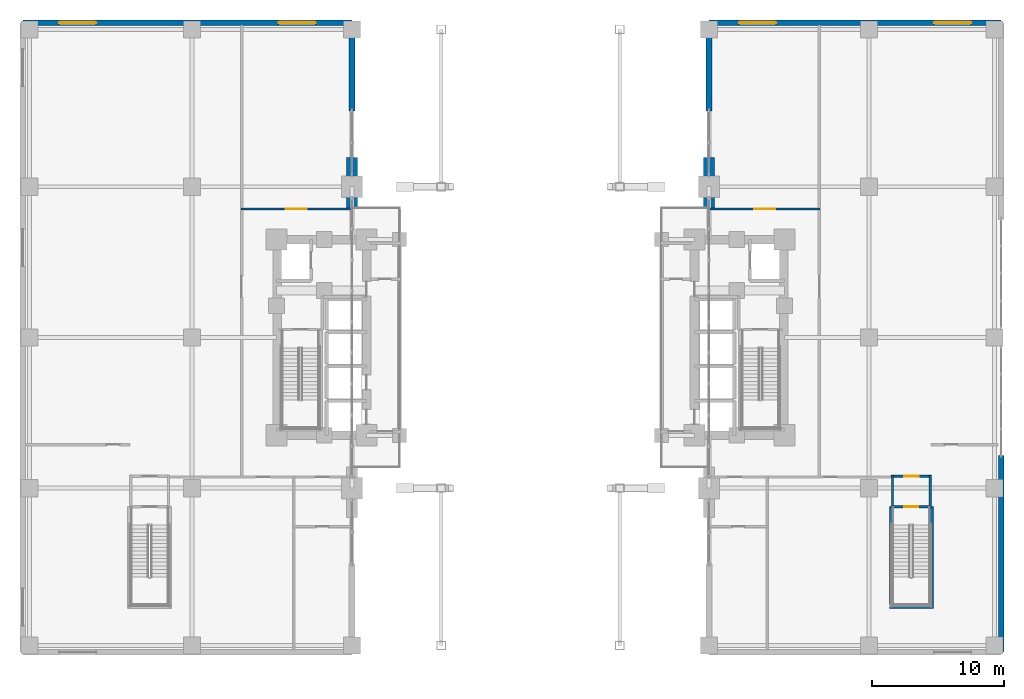
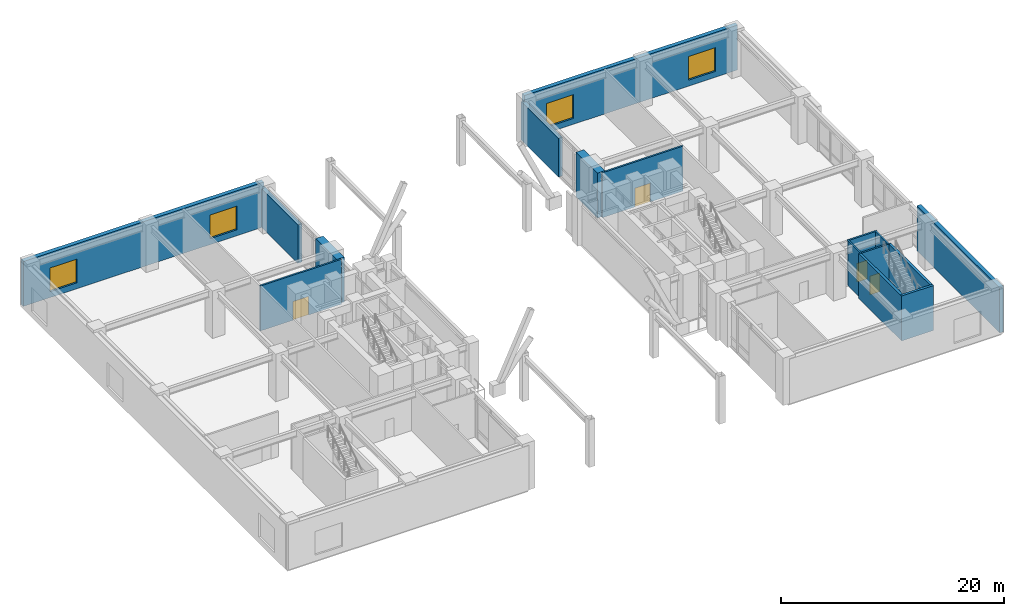
# One storey, part 21 of 26: 16 walls, 4 doors, 4 windows, 8 openings.
"""IFC4 building model written with IfcOpenShell, lengths in metres."""

from ifc_helpers import new_model, si_unit, direction, frame, frame_2d, origin, place, context, subcontext, project, spatial, rectangle, extrude, material, layer, layer_set, type_object, element, fill, save


model = new_model("IFC4")

# Units and contexts
model_context = context("Model", 3, precision=1e-05, world=origin(), true_north=direction((0.0, 1.0)))
body_context = subcontext(model_context, "Body", "Model", "MODEL_VIEW")
ifc_project = project(units=[si_unit("LENGTHUNIT", "METRE"), si_unit("AREAUNIT", "SQUARE_METRE"), si_unit("VOLUMEUNIT", "CUBIC_METRE"), si_unit("PLANEANGLEUNIT", "RADIAN"), si_unit("MASSUNIT", "GRAM", prefix="KILO")], contexts=[model_context])

# Site, building, storey
site_placement = place(None, origin())
site = spatial("IfcSite", under=ifc_project, at=site_placement, CompositionType="ELEMENT")
building_placement = place(site_placement, origin())
building = spatial("IfcBuilding", under=site, at=building_placement, Name="Voryun Gate Residences", CompositionType="ELEMENT")
storey_placement = place(building_placement, frame((0.0, 0.0, 10.39990234375)))
storey = spatial("IfcBuildingStorey", under=building, at=storey_placement, Name="L02", CompositionType="ELEMENT", Elevation=10.39990234375)

# Walls
ifc_material_1 = material(Name="Concrete C60/75", Category="concrete")
ifc_layer_1 = layer(ifc_material_1, 0.800048828125, Name="W_ARCH_PIER_800")
ifc_layer_set_1 = layer_set([ifc_layer_1], Name="Concrete C60/75")
wall_type_1 = type_object("IfcWallType", Name="W_ARCH_PIER_800", PredefinedType="SOLIDWALL", material=ifc_layer_set_1)
for number, where, z_axis, x_axis, name in (
    (1, (-13.5, 9.800048828125, 0.0), (0.0, 0.0, 1.0), (0.0, 1.0, 0.0), "L02 Parabolic arch pier wall WN"),
    (2, (13.5, 9.800048828125, 0.0), (0.0, 0.0, 1.0), (0.0, 1.0, 0.0), "L02 Parabolic arch pier wall EN"),
):
    element("IfcWall", number, at=place(storey_placement, frame(where, z_axis=z_axis, x_axis=x_axis)), inside=storey, type_object=wall_type_1, Name=name, PredefinedType="SOLIDWALL", context=body_context, shape_type="SweptSolid", body=[
        extrude(rectangle(XDim=3.800048828125, YDim=0.800048828125, at=frame_2d((1.89990234375, 0.0))), origin(), (0.0, 0.0, 1.0), 4.920166015625),
    ])
ifc_material_2 = material(Name="Gypsum acoustic fireboard")
ifc_layer_2 = layer(ifc_material_2, 0.179931640625, Name="W_CORR_RATED_180")
ifc_layer_set_2 = layer_set([ifc_layer_2], Name="Gypsum acoustic fireboard")
wall_type_2 = type_object("IfcWallType", Name="W_CORR_RATED_180", PredefinedType="PARTITIONING", material=ifc_layer_set_2)
for number, where, z_axis, x_axis, name in (
    (3, (27.3798828125, -12.800048828125, 0.0), (0.0, 0.0, 1.0), (0.0, 1.0, 0.0), "Partition wall WP-L02-ST-P2-VW"),
    (4, (30.219970703125, -12.800048828125, 0.0), (0.0, 0.0, 1.0), (0.0, 1.0, 0.0), "Partition wall WP-L02-ST-P2-VE"),
):
    element("IfcWall", number, at=place(storey_placement, frame(where, z_axis=z_axis, x_axis=x_axis)), inside=storey, type_object=wall_type_2, Name=name, PredefinedType="PARTITIONING", context=body_context, shape_type="SweptSolid", body=[
        extrude(rectangle(XDim=2.35009765625, YDim=0.179931640625, at=frame_2d((1.175048828125, 0.0))), origin(), (0.0, 0.0, 1.0), 4.920166015625),
    ])

# Wall, opening, door
wall_1_placement = place(storey_placement, frame((27.280029296875, -12.800048828125, 0.0), z_axis=(0.0, 0.0, 1.0), x_axis=(1.0, 0.0, 0.0)))
wall_1 = element("IfcWall", 5, at=wall_1_placement, inside=storey, type_object=wall_type_2, Name="Partition wall WP-L02-ST-P2-MID", PredefinedType="PARTITIONING", context=body_context, shape_type="SweptSolid", body=[
    extrude(rectangle(XDim=3.0400390625, YDim=0.179931640625, at=frame_2d((1.52001953125, 0.0))), origin(), (0.0, 0.0, 1.0), 4.920166015625),
])
opening_1_placement = place(wall_1_placement, frame((0.9951171875, 0.0, 0.0)))
opening_1 = element("IfcOpeningElement", 6, at=opening_1_placement, cuts=wall_1, Name="Opening D-FD60-1", PredefinedType="OPENING", context=body_context, shape_type="SweptSolid", body=[
    extrude(rectangle(XDim=1.050048828125, YDim=2.050048828125, at=frame_2d((0.52490234375, 1.02490234375))), frame((0.0, 0.099853515625, 0.0), z_axis=(0.0, -1.0, 0.0), x_axis=(1.0, 0.0, 0.0)), (0.0, 0.0, 1.0), 0.199951171875),
])
ifc_material_3 = material(Name="Painted steel fire door", Category="steel")
door_type_1 = type_object("IfcDoorType", Name="DR_FD60_STAIR_1050", OperationType="NOTDEFINED", PredefinedType="DOOR", material=ifc_material_3)
door_1_placement = place(opening_1_placement, origin())
door_1 = element("IfcDoor", 7, at=door_1_placement, inside=storey, type_object=door_type_1, Name="Door DR-L02-ST-P2-IN", OperationType="SINGLE_SWING_LEFT", OverallHeight=2.050048828125, OverallWidth=1.050048828125, PredefinedType="DOOR", context=body_context, shape_type="SweptSolid", body=[
    extrude(rectangle(XDim=1.050048828125, YDim=2.050048828125, at=frame_2d((0.52490234375, 1.02490234375))), frame((0.0, 0.02490234375, 0.0), z_axis=(0.0, -1.0, 0.0), x_axis=(1.0, 0.0, 0.0)), (0.0, 0.0, 1.0), 0.050048828125),
])
fill(opening_1, door_1)

wall_2_placement = place(storey_placement, frame((27.280029296875, -10.5, 0.0), z_axis=(0.0, 0.0, 1.0), x_axis=(1.0, 0.0, 0.0)))
wall_2 = element("IfcWall", 8, at=wall_2_placement, inside=storey, type_object=wall_type_2, Name="Partition wall WP-L02-ST-P2-N", PredefinedType="PARTITIONING", context=body_context, shape_type="SweptSolid", body=[
    extrude(rectangle(XDim=3.0400390625, YDim=0.179931640625, at=frame_2d((1.52001953125, 0.0))), origin(), (0.0, 0.0, 1.0), 4.920166015625),
])
opening_2_placement = place(wall_2_placement, frame((0.969970703125, 0.0, 0.0)))
opening_2 = element("IfcOpeningElement", 9, at=opening_2_placement, cuts=wall_2, Name="Opening D-FD60-2", PredefinedType="OPENING", context=body_context, shape_type="SweptSolid", body=[
    extrude(rectangle(XDim=1.10009765625, YDim=2.050048828125, at=frame_2d((0.550048828125, 1.02490234375))), frame((0.0, 0.099853515625, 0.0), z_axis=(0.0, -1.0, 0.0), x_axis=(1.0, 0.0, 0.0)), (0.0, 0.0, 1.0), 0.199951171875),
])
ifc_material_4 = material(Name="Painted steel fire door", Category="steel")
door_type_2 = type_object("IfcDoorType", Name="DR_FD60_FFLOB_1100", OperationType="NOTDEFINED", PredefinedType="DOOR", material=ifc_material_4)
door_2_placement = place(opening_2_placement, origin())
door_2 = element("IfcDoor", 10, at=door_2_placement, inside=storey, type_object=door_type_2, Name="Door DR-L02-ST-P2-OUT", OperationType="SINGLE_SWING_RIGHT", OverallHeight=2.050048828125, OverallWidth=1.10009765625, PredefinedType="DOOR", context=body_context, shape_type="SweptSolid", body=[
    extrude(rectangle(XDim=1.10009765625, YDim=2.050048828125, at=frame_2d((0.550048828125, 1.02490234375))), frame((0.0, 0.02490234375, 0.0), z_axis=(0.0, -1.0, 0.0), x_axis=(1.0, 0.0, 0.0)), (0.0, 0.0, 1.0), 0.050048828125),
])
fill(opening_2, door_2)

wall_3_placement = place(storey_placement, frame((-21.89990234375, 9.719970703125, 0.0), z_axis=(0.0, 0.0, 1.0), x_axis=(1.0, 0.0, 0.0)))
wall_3 = element("IfcWall", 11, at=wall_3_placement, inside=storey, type_object=wall_type_2, Name="Partition wall WP-L02-WCN1", PredefinedType="PARTITIONING", context=body_context, shape_type="SweptSolid", body=[
    extrude(rectangle(XDim=8.3798828125, YDim=0.179931640625, at=frame_2d((4.18994140625, 0.0))), origin(), (0.0, 0.0, 1.0), 4.920166015625),
])
opening_3_placement = place(wall_3_placement, frame((3.389892578125, 0.0, 0.0)))
opening_3 = element("IfcOpeningElement", 12, at=opening_3_placement, cuts=wall_3, Name="Opening D-FD30-1", PredefinedType="OPENING", context=body_context, shape_type="SweptSolid", body=[
    extrude(rectangle(XDim=1.60009765625, YDim=2.050048828125, at=frame_2d((0.800048828125, 1.02490234375))), frame((0.0, 0.099853515625, 0.0), z_axis=(0.0, -1.0, 0.0), x_axis=(1.0, 0.0, 0.0)), (0.0, 0.0, 1.0), 0.199951171875),
])
ifc_material_5 = material(Name="Glazed aluminium fire door", Category="aluminium")
door_type_3 = type_object("IfcDoorType", Name="DR_CORR_SMOKE_1600", OperationType="NOTDEFINED", PredefinedType="DOOR", material=ifc_material_5)
door_3_placement = place(opening_3_placement, origin())
door_3 = element("IfcDoor", 13, at=door_3_placement, inside=storey, type_object=door_type_3, Name="Door DR-L02-WD3", OperationType="DOUBLE_DOOR_SINGLE_SWING", OverallHeight=2.050048828125, OverallWidth=1.60009765625, PredefinedType="DOOR", context=body_context, shape_type="SweptSolid", body=[
    extrude(rectangle(XDim=1.60009765625, YDim=2.050048828125, at=frame_2d((0.800048828125, 1.02490234375))), frame((0.0, 0.02490234375, 0.0), z_axis=(0.0, -1.0, 0.0), x_axis=(1.0, 0.0, 0.0)), (0.0, 0.0, 1.0), 0.050048828125),
])
fill(opening_3, door_3)

wall_4_placement = place(storey_placement, frame((13.52001953125, 9.719970703125, 0.0), z_axis=(0.0, 0.0, 1.0), x_axis=(1.0, 0.0, 0.0)))
wall_4 = element("IfcWall", 14, at=wall_4_placement, inside=storey, type_object=wall_type_2, Name="Partition wall WP-L02-ECN1", PredefinedType="PARTITIONING", context=body_context, shape_type="SweptSolid", body=[
    extrude(rectangle(XDim=8.3798828125, YDim=0.179931640625, at=frame_2d((4.18994140625, 0.0))), origin(), (0.0, 0.0, 1.0), 4.920166015625),
])
opening_4_placement = place(wall_4_placement, frame((3.389892578125, 0.0, 0.0)))
opening_4 = element("IfcOpeningElement", 15, at=opening_4_placement, cuts=wall_4, Name="Opening D-FD30-1", PredefinedType="OPENING", context=body_context, shape_type="SweptSolid", body=[
    extrude(rectangle(XDim=1.60009765625, YDim=2.050048828125, at=frame_2d((0.800048828125, 1.02490234375))), frame((0.0, 0.099853515625, 0.0), z_axis=(0.0, -1.0, 0.0), x_axis=(1.0, 0.0, 0.0)), (0.0, 0.0, 1.0), 0.199951171875),
])
door_4_placement = place(opening_4_placement, origin())
door_4 = element("IfcDoor", 16, at=door_4_placement, inside=storey, type_object=door_type_3, Name="Door DR-L02-ED2", OperationType="DOUBLE_DOOR_SINGLE_SWING", OverallHeight=2.050048828125, OverallWidth=1.60009765625, PredefinedType="DOOR", context=body_context, shape_type="SweptSolid", body=[
    extrude(rectangle(XDim=1.60009765625, YDim=2.050048828125, at=frame_2d((0.800048828125, 1.02490234375))), frame((0.0, 0.02490234375, 0.0), z_axis=(0.0, -1.0, 0.0), x_axis=(1.0, 0.0, 0.0)), (0.0, 0.0, 1.0), 0.050048828125),
])
fill(opening_4, door_4)

# Wall
ifc_material_6 = material(Name="Granite masonry", Category="masonry")
ifc_layer_3 = layer(ifc_material_6, 0.419921875, Name="W_EXT_PODIUM_420")
ifc_layer_set_3 = layer_set([ifc_layer_3], Name="Granite masonry")
wall_type_3 = type_object("IfcWallType", Name="W_EXT_PODIUM_420", PredefinedType="ELEMENTEDWALL", material=ifc_layer_set_3)
wall_5_placement = place(storey_placement, frame((-13.5, 17.1201171875, 0.0), z_axis=(0.0, 0.0, 1.0), x_axis=(0.0, 1.0, 0.0)))
element("IfcWall", 17, at=wall_5_placement, inside=storey, type_object=wall_type_3, Name="Exterior wall WEP-L02-WP-2B", PredefinedType="ELEMENTEDWALL", context=body_context, shape_type="SweptSolid", body=[
    extrude(rectangle(XDim=6.679931640625, YDim=0.419921875, at=frame_2d((3.33984375, 0.0))), origin(), (0.0, 0.0, 1.0), 4.210205078125),
])

# Wall, openings, windows
wall_6_placement = place(storey_placement, frame((-13.5, 23.800048828125, 0.0), z_axis=(0.0, 0.0, 1.0), x_axis=(-1.0, 0.0, 0.0)))
wall_6 = element("IfcWall", 18, at=wall_6_placement, inside=storey, type_object=wall_type_3, Name="Exterior wall WEP-L02-WP-3", PredefinedType="ELEMENTEDWALL", context=body_context, shape_type="SweptSolid", body=[
    extrude(rectangle(XDim=24.89990234375, YDim=0.419921875, at=frame_2d((12.449951171875, 0.0))), origin(), (0.0, 0.0, 1.0), 4.920166015625),
])
opening_5_placement = place(wall_6_placement, frame((2.75, 0.0, 0.64990234375)))
opening_5 = element("IfcOpeningElement", 19, at=opening_5_placement, cuts=wall_6, Name="Opening WN5", PredefinedType="OPENING", context=body_context, shape_type="SweptSolid", body=[
    extrude(rectangle(XDim=2.800048828125, YDim=2.60009765625, at=frame_2d((1.39990234375, 1.300048828125))), frame((0.0, 0.219970703125, 0.0), z_axis=(0.0, -1.0, 0.0), x_axis=(1.0, 0.0, 0.0)), (0.0, 0.0, 1.0), 0.43994140625),
])
opening_6_placement = place(wall_6_placement, frame((19.35009765625, 0.0, 0.64990234375)))
opening_6 = element("IfcOpeningElement", 20, at=opening_6_placement, cuts=wall_6, Name="Opening WN5", PredefinedType="OPENING", context=body_context, shape_type="SweptSolid", body=[
    extrude(rectangle(XDim=2.800048828125, YDim=2.60009765625, at=frame_2d((1.39990234375, 1.300048828125))), frame((0.0, 0.219970703125, 0.0), z_axis=(0.0, -1.0, 0.0), x_axis=(1.0, 0.0, 0.0)), (0.0, 0.0, 1.0), 0.43994140625),
])
ifc_material_7 = material(Name="Laminated low-E glass", Category="glass")
window_type = type_object("IfcWindowType", Name="WN_POD_GALLERY_2800", PartitioningType="SINGLE_PANEL", PredefinedType="WINDOW", material=ifc_material_7)
window_1_placement = place(opening_5_placement, origin())
window_1 = element("IfcWindow", 21, at=window_1_placement, inside=storey, type_object=window_type, Name="Window WN-L02-WP-3-01", OverallHeight=2.60009765625, OverallWidth=2.800048828125, PartitioningType="SINGLE_PANEL", PredefinedType="WINDOW", context=body_context, shape_type="SweptSolid", body=[
    extrude(rectangle(XDim=2.800048828125, YDim=2.60009765625, at=frame_2d((1.39990234375, 1.300048828125))), frame((0.0, 0.030029296875, 0.0), z_axis=(0.0, -1.0, 0.0), x_axis=(1.0, 0.0, 0.0)), (0.0, 0.0, 1.0), 0.06005859375),
])
fill(opening_5, window_1)
window_2_placement = place(opening_6_placement, origin())
window_2 = element("IfcWindow", 22, at=window_2_placement, inside=storey, type_object=window_type, Name="Window WN-L02-WP-3-03", OverallHeight=2.60009765625, OverallWidth=2.800048828125, PartitioningType="SINGLE_PANEL", PredefinedType="WINDOW", context=body_context, shape_type="SweptSolid", body=[
    extrude(rectangle(XDim=2.800048828125, YDim=2.60009765625, at=frame_2d((1.39990234375, 1.300048828125))), frame((0.0, 0.030029296875, 0.0), z_axis=(0.0, -1.0, 0.0), x_axis=(1.0, 0.0, 0.0)), (0.0, 0.0, 1.0), 0.06005859375),
])
fill(opening_6, window_2)

# Wall
wall_7_placement = place(storey_placement, frame((35.60009765625, -23.800048828125, 0.0), z_axis=(0.0, 0.0, 1.0), x_axis=(0.0, 1.0, 0.0)))
element("IfcWall", 23, at=wall_7_placement, inside=storey, type_object=wall_type_3, Name="Exterior wall WEP-L02-EP-2A", PredefinedType="ELEMENTEDWALL", context=body_context, shape_type="SweptSolid", body=[
    extrude(rectangle(XDim=14.880126953125, YDim=0.419921875, at=frame_2d((7.43994140625, 0.0))), origin(), (0.0, 0.0, 1.0), 4.920166015625),
])

# Wall, openings, windows
wall_8_placement = place(storey_placement, frame((35.60009765625, 23.800048828125, 0.0), z_axis=(0.0, 0.0, 1.0), x_axis=(-1.0, 0.0, 0.0)))
wall_8 = element("IfcWall", 24, at=wall_8_placement, inside=storey, type_object=wall_type_3, Name="Exterior wall WEP-L02-EP-3", PredefinedType="ELEMENTEDWALL", context=body_context, shape_type="SweptSolid", body=[
    extrude(rectangle(XDim=22.10009765625, YDim=0.419921875, at=frame_2d((11.050048828125, 0.0))), origin(), (0.0, 0.0, 1.0), 4.920166015625),
])
opening_7_placement = place(wall_8_placement, frame((2.282958984375, 0.0, 0.64990234375)))
opening_7 = element("IfcOpeningElement", 25, at=opening_7_placement, cuts=wall_8, Name="Opening WN5", PredefinedType="OPENING", context=body_context, shape_type="SweptSolid", body=[
    extrude(rectangle(XDim=2.800048828125, YDim=2.60009765625, at=frame_2d((1.39990234375, 1.300048828125))), frame((0.0, 0.219970703125, 0.0), z_axis=(0.0, -1.0, 0.0), x_axis=(1.0, 0.0, 0.0)), (0.0, 0.0, 1.0), 0.43994140625),
])
opening_8_placement = place(wall_8_placement, frame((17.01708984375, 0.0, 0.64990234375)))
opening_8 = element("IfcOpeningElement", 26, at=opening_8_placement, cuts=wall_8, Name="Opening WN5", PredefinedType="OPENING", context=body_context, shape_type="SweptSolid", body=[
    extrude(rectangle(XDim=2.800048828125, YDim=2.60009765625, at=frame_2d((1.39990234375, 1.300048828125))), frame((0.0, 0.219970703125, 0.0), z_axis=(0.0, -1.0, 0.0), x_axis=(1.0, 0.0, 0.0)), (0.0, 0.0, 1.0), 0.43994140625),
])
window_3_placement = place(opening_7_placement, origin())
window_3 = element("IfcWindow", 27, at=window_3_placement, inside=storey, type_object=window_type, Name="Window WN-L02-EP-3-01", OverallHeight=2.60009765625, OverallWidth=2.800048828125, PartitioningType="SINGLE_PANEL", PredefinedType="WINDOW", context=body_context, shape_type="SweptSolid", body=[
    extrude(rectangle(XDim=2.800048828125, YDim=2.60009765625, at=frame_2d((1.39990234375, 1.300048828125))), frame((0.0, 0.030029296875, 0.0), z_axis=(0.0, -1.0, 0.0), x_axis=(1.0, 0.0, 0.0)), (0.0, 0.0, 1.0), 0.06005859375),
])
fill(opening_7, window_3)
window_4_placement = place(opening_8_placement, origin())
window_4 = element("IfcWindow", 28, at=window_4_placement, inside=storey, type_object=window_type, Name="Window WN-L02-EP-3-03", OverallHeight=2.60009765625, OverallWidth=2.800048828125, PartitioningType="SINGLE_PANEL", PredefinedType="WINDOW", context=body_context, shape_type="SweptSolid", body=[
    extrude(rectangle(XDim=2.800048828125, YDim=2.60009765625, at=frame_2d((1.39990234375, 1.300048828125))), frame((0.0, 0.030029296875, 0.0), z_axis=(0.0, -1.0, 0.0), x_axis=(1.0, 0.0, 0.0)), (0.0, 0.0, 1.0), 0.06005859375),
])
fill(opening_8, window_4)

# Walls
wall_9_placement = place(storey_placement, frame((13.5, 17.1201171875, 0.0), z_axis=(0.0, 0.0, 1.0), x_axis=(0.0, 1.0, 0.0)))
element("IfcWall", 29, at=wall_9_placement, inside=storey, type_object=wall_type_3, Name="Exterior wall WEP-L02-EP-4B", PredefinedType="ELEMENTEDWALL", context=body_context, shape_type="SweptSolid", body=[
    extrude(rectangle(XDim=6.679931640625, YDim=0.419921875, at=frame_2d((3.33984375, 0.0))), origin(), (0.0, 0.0, 1.0), 4.210205078125),
])
ifc_material_8 = material(Name="Concrete C50/60", Category="concrete")
ifc_layer_4 = layer(ifc_material_8, 0.25, Name="W_SHAFT_RC250")
ifc_layer_set_4 = layer_set([ifc_layer_4], Name="Concrete C50/60")
wall_type_4 = type_object("IfcWallType", Name="W_SHAFT_RC250", PredefinedType="SOLIDWALL", material=ifc_layer_set_4)
for number, where, z_axis, x_axis, name in (
    (30, (27.260009765625, -20.485107421875, 0.0), (0.0, 0.0, 1.0), (0.0, 1.0, 0.0), "L02 Podium stair structural wall STP2-W"),
    (31, (30.340087890625, -20.485107421875, 0.0), (0.0, 0.0, 1.0), (0.0, 1.0, 0.0), "L02 Podium stair structural wall STP2-E"),
):
    element("IfcWall", number, at=place(storey_placement, frame(where, z_axis=z_axis, x_axis=x_axis)), inside=storey, type_object=wall_type_4, Name=name, PredefinedType="SOLIDWALL", context=body_context, shape_type="SweptSolid", body=[
        extrude(rectangle(XDim=7.68505859375, YDim=0.25, at=frame_2d((3.842529296875, 0.0))), origin(), (0.0, 0.0, 1.0), 4.920166015625),
    ])
wall_10_placement = place(storey_placement, frame((27.139892578125, -20.364990234375, 0.0), z_axis=(0.0, 0.0, 1.0), x_axis=(1.0, 0.0, 0.0)))
element("IfcWall", 32, at=wall_10_placement, inside=storey, type_object=wall_type_4, Name="L02 Podium stair structural wall STP2-S", PredefinedType="SOLIDWALL", context=body_context, shape_type="SweptSolid", body=[
    extrude(rectangle(XDim=3.320068359375, YDim=0.25, at=frame_2d((1.66015625, 0.0))), origin(), (0.0, 0.0, 1.0), 4.920166015625),
])

save(model, "model.ifc")
